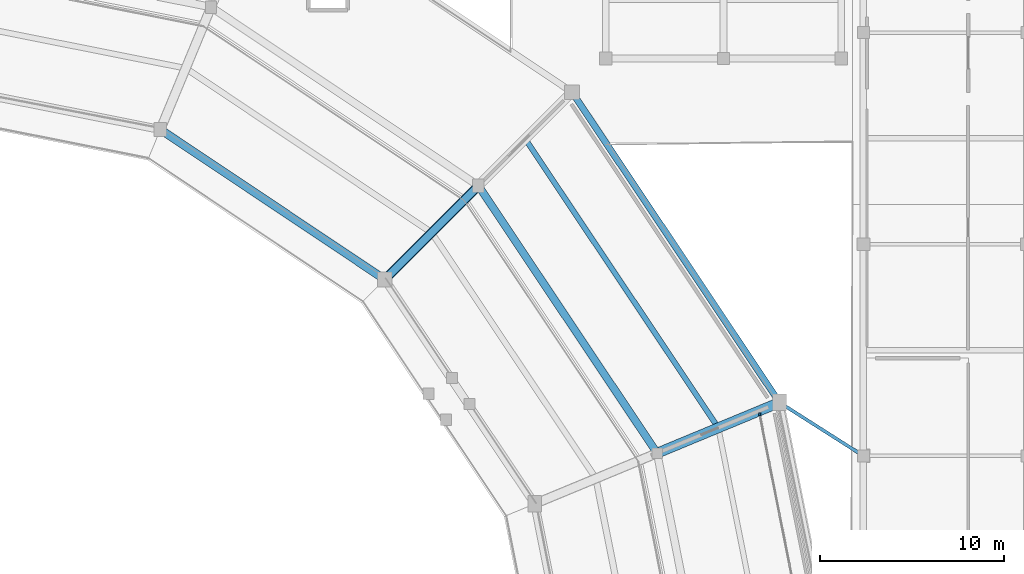
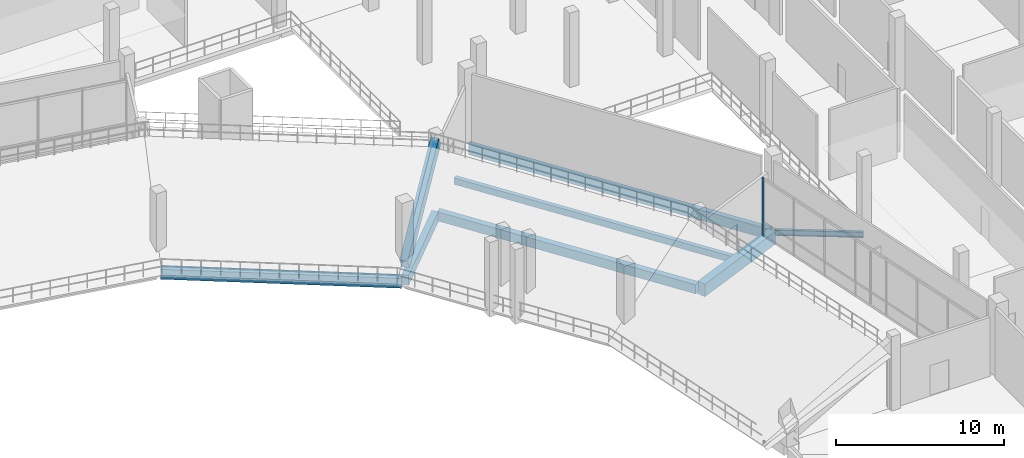
# One storey, part 43 of 127: 8 beams, 1 member, 1 element without a shape of its own.
"""IFC4 building model written with IfcOpenShell, lengths in metres."""

from ifc_helpers import new_model, si_unit, direction, frame, origin, origin_2d, place, context, subcontext, project, spatial, rectangle, i_section, extrude, material, material_profile, profile_set, type_object, element, aggregate, save


model = new_model("IFC4")

# Units and contexts
model_context = context("Model", 3, precision=1e-05, world=origin(), true_north=direction((0.0, 1.0)))
body_context = subcontext(model_context, "Body", "Model", "MODEL_VIEW")
ifc_project = project(units=[si_unit("LENGTHUNIT", "METRE"), si_unit("AREAUNIT", "SQUARE_METRE"), si_unit("VOLUMEUNIT", "CUBIC_METRE"), si_unit("PLANEANGLEUNIT", "RADIAN"), si_unit("MASSUNIT", "GRAM", prefix="KILO")], contexts=[model_context])

# Site, building, storey
site_placement = place(None, origin())
site = spatial("IfcSite", under=ifc_project, at=site_placement, CompositionType="ELEMENT")
building_placement = place(site_placement, origin())
building = spatial("IfcBuilding", under=site, at=building_placement, Name="Candeia Ridge Stadium", CompositionType="ELEMENT")
storey_placement = place(building_placement, frame((0.0, 0.0, 10.800048828125)))
storey = spatial("IfcBuildingStorey", under=building, at=storey_placement, Name="L02", CompositionType="ELEMENT", Elevation=10.800048828125)

# Beam
ifc_material_1 = material(Name="Concrete C45/55", Category="concrete")
ifc_material_profile_1 = material_profile(ifc_material_1, rectangle(XDim=0.5, YDim=0.89990234375, at=origin_2d()), Name="RC500x900", Category="concrete")
ifc_profile_set_1 = profile_set([ifc_material_profile_1], Name="Concrete C45/55")
beam_type_1 = type_object("IfcBeamType", Name="Club Stand Raker Beam RC500x900", PredefinedType="USERDEFINED", material=ifc_profile_set_1)
beam_1_placement = place(storey_placement, frame((167.587158203125, 121.587158203125, 0.624267578125), z_axis=(0.614653767795, 0.614653767795, 0.494369792233), x_axis=(-0.707106781187, 0.707106781187, 0.0)))
element("IfcBeam", 1, at=beam_1_placement, inside=storey, type_object=beam_type_1, Name="Stand T2 inclined concrete raker beam 35", ObjectType="RAKER", PredefinedType="USERDEFINED", context=body_context, shape_type="SweptSolid", body=[
    extrude(rectangle(XDim=0.5, YDim=0.89990234375, at=origin_2d()), origin(), (0.0, 0.0, 1.0), 8.283203125),
])

# Curtain wall, member
ifc_material_2 = material(Name="Aluminium Anodized Warm Bronze", Category="aluminium")
curtain_wall_type = type_object("IfcCurtainWallType", Name="Concourse Recessed Unitised Curtain Wall", PredefinedType="NOTDEFINED", material=ifc_material_2)
curtain_wall_placement = place(storey_placement, origin())
curtain_wall = element("IfcCurtainWall", 2, at=curtain_wall_placement, inside=storey, type_object=curtain_wall_type, Name="Unitised curtain wall CW-BWL-L02-32", PredefinedType="NOTDEFINED")
ifc_material_profile_2 = material_profile(ifc_material_2, rectangle(XDim=0.090087890625, YDim=0.179931640625, at=origin_2d()), Name="CWM-90x180", Category="aluminium")
ifc_profile_set_2 = profile_set([ifc_material_profile_2], Name="Aluminium Anodized Warm Bronze")
member_type = type_object("IfcMemberType", Name="Curtain Wall Primary Mullion 90x180", PredefinedType="MULLION", material=ifc_profile_set_2)
member_placement = place(storey_placement, frame((187.96826171875, 114.263916015625, 0.0), z_axis=(0.0, 0.0, 1.0), x_axis=(1.0, 0.0, 0.0)))
member = element("IfcMember", 3, at=member_placement, type_object=member_type, Name="Curtain wall mullion CW-BWL-L02-32-M7", PredefinedType="MULLION", context=body_context, shape_type="SweptSolid", body=[
    extrude(rectangle(XDim=0.090087890625, YDim=0.179931640625, at=origin_2d()), origin(), (0.0, 0.0, 1.0), 4.21484375),
])
aggregate(curtain_wall, [member])

# Beams
ifc_material_3 = material(Name="Concrete C40/50", Category="concrete")
ifc_material_profile_3 = material_profile(ifc_material_3, rectangle(XDim=0.2900390625, YDim=0.469970703125, at=origin_2d()), Name="RC290x470", Category="concrete")
ifc_profile_set_3 = profile_set([ifc_material_profile_3], Name="Concrete C40/50")
beam_type_2 = type_object("IfcBeamType", Name="Floor Joist RC290x470", PredefinedType="JOIST", material=ifc_profile_set_3)
beam_2_placement = place(storey_placement, frame((185.592529296875, 113.70654296875, -0.4951171875), z_axis=(-0.555573683674, 0.831467306639, 0.0), x_axis=(-0.831467306639, -0.555573683674, 0.0)))
element("IfcBeam", 4, at=beam_2_placement, inside=storey, type_object=beam_type_2, Name="Concourse secondary joist BM-L02-0471", PredefinedType="JOIST", context=body_context, shape_type="SweptSolid", body=[
    extrude(rectangle(XDim=0.2900390625, YDim=0.469970703125, at=origin_2d()), origin(), (0.0, 0.0, 1.0), 18.440673828125),
])
ifc_material_profile_4 = material_profile(ifc_material_3, rectangle(XDim=0.409912109375, YDim=0.659912109375, at=origin_2d()), Name="RC410x660", Category="concrete")
ifc_profile_set_4 = profile_set([ifc_material_profile_4], Name="Concrete C40/50")
beam_type_3 = type_object("IfcBeamType", Name="Frame Girder RC410x660", PredefinedType="BEAM", material=ifc_profile_set_4)
beam_3_placement = place(storey_placement, frame((182.301025390625, 112.27734375, -0.590087890625), z_axis=(-0.555573223542, 0.831467614091, 0.0), x_axis=(-0.831467614091, -0.555573223542, 0.0)))
element("IfcBeam", 5, at=beam_3_placement, inside=storey, type_object=beam_type_3, Name="Concourse spine girder BM-L02-0468", PredefinedType="BEAM", context=body_context, shape_type="SweptSolid", body=[
    extrude(rectangle(XDim=0.409912109375, YDim=0.659912109375, at=origin_2d()), origin(), (0.0, 0.0, 1.0), 17.16015625),
])
ifc_material_profile_5 = material_profile(ifc_material_3, rectangle(XDim=0.429931640625, YDim=0.739990234375, at=origin_2d()), Name="RC430x740", Category="concrete")
ifc_profile_set_5 = profile_set([ifc_material_profile_5], Name="Concrete C40/50")
beam_type_4 = type_object("IfcBeamType", Name="Frame Girder RC430x740", PredefinedType="BEAM", material=ifc_profile_set_5)
beam_4_placement = place(storey_placement, frame((167.700439453125, 121.700439453125, -0.630126953125), z_axis=(0.707106781187, 0.707106781187, 0.0), x_axis=(-0.707106781187, 0.707106781187, 0.0)))
element("IfcBeam", 6, at=beam_4_placement, inside=storey, type_object=beam_type_4, Name="Bowl radial girder BM-L02-0309", PredefinedType="BEAM", context=body_context, shape_type="SweptSolid", body=[
    extrude(rectangle(XDim=0.429931640625, YDim=0.739990234375, at=origin_2d()), origin(), (0.0, 0.0, 1.0), 6.8798828125),
])
ifc_material_profile_6 = material_profile(ifc_material_3, rectangle(XDim=0.43994140625, YDim=0.719970703125, at=origin_2d()), Name="RC440x720", Category="concrete")
ifc_profile_set_6 = profile_set([ifc_material_profile_6], Name="Concrete C40/50")
beam_type_5 = type_object("IfcBeamType", Name="Frame Girder RC440x720", PredefinedType="BEAM", material=ifc_profile_set_6)
beam_5_placement = place(storey_placement, frame((167.4541015625, 121.676025390625, -0.6201171875), z_axis=(-0.831466176057, 0.55557537569, 0.0), x_axis=(-0.55557537569, -0.831466176057, 0.0)))
element("IfcBeam", 7, at=beam_5_placement, inside=storey, type_object=beam_type_5, Name="Bowl inner ring girder BM-L02-0472", PredefinedType="BEAM", context=body_context, shape_type="SweptSolid", body=[
    extrude(rectangle(XDim=0.43994140625, YDim=0.719970703125, at=origin_2d()), origin(), (0.0, 0.0, 1.0), 14.350830078125),
])
ifc_material_profile_7 = material_profile(ifc_material_1, rectangle(XDim=0.550048828125, YDim=0.919921875, at=origin_2d()), Name="RC550x920", Category="concrete")
ifc_profile_set_7 = profile_set([ifc_material_profile_7], Name="Concrete C45/55")
beam_type_6 = type_object("IfcBeamType", Name="Frame Girder RC550x920", PredefinedType="BEAM", material=ifc_profile_set_7)
beam_6_placement = place(storey_placement, frame((182.53759765625, 112.20556640625, -0.719970703125), z_axis=(0.923880161031, 0.382681914982, 0.0), x_axis=(-0.382681914982, 0.923880161031, 0.0)))
element("IfcBeam", 8, at=beam_6_placement, inside=storey, type_object=beam_type_6, Name="Bowl radial girder BM-L02-0308", PredefinedType="BEAM", context=body_context, shape_type="SweptSolid", body=[
    extrude(rectangle(XDim=0.550048828125, YDim=0.919921875, at=origin_2d()), origin(), (0.0, 0.0, 1.0), 6.8798828125),
])
ifc_material_profile_8 = material_profile(ifc_material_1, rectangle(XDim=0.35009765625, YDim=0.75, at=origin_2d()), Name="RC350x750", Category="concrete")
ifc_profile_set_8 = profile_set([ifc_material_profile_8], Name="Concrete C45/55")
beam_type_7 = type_object("IfcBeamType", Name="Spandrel Beam RC350x750", PredefinedType="SPANDREL", material=ifc_profile_set_8)
beam_7_placement = place(storey_placement, frame((188.952880859375, 115.032470703125, -0.635009765625), z_axis=(-0.555571676938, 0.831468647505, 0.0), x_axis=(-0.831468647505, -0.555571676938, 0.0)))
element("IfcBeam", 9, at=beam_7_placement, inside=storey, type_object=beam_type_7, Name="Bowl perimeter spandrel BM-L02-0469", PredefinedType="SPANDREL", context=body_context, shape_type="SweptSolid", body=[
    extrude(rectangle(XDim=0.35009765625, YDim=0.75, at=origin_2d()), origin(), (0.0, 0.0, 1.0), 19.969482421875),
])
ifc_material_4 = material(Name="Steel ASTM A572 Grade 50", Category="steel")
ifc_material_profile_9 = material_profile(ifc_material_4, i_section(OverallWidth=0.178955078125, OverallDepth=0.409912109375, WebThickness=0.0087890625, FlangeThickness=0.014404296875, FilletRadius=0.011962890625, at=origin_2d()), Name="W410x67", Category="steel")
ifc_profile_set_9 = profile_set([ifc_material_profile_9], Name="Steel ASTM A572 Grade 50")
beam_type_8 = type_object("IfcBeamType", Name="Warm-Up Hall Girder W410x67", PredefinedType="BEAM", material=ifc_profile_set_9)
beam_8_placement = place(storey_placement, frame((193.557861328125, 112.02685546875, -0.4951171875), z_axis=(-0.843752479812, 0.536732477881, 0.0), x_axis=(-0.536732477881, -0.843752479812, 0.0)))
element("IfcBeam", 10, at=beam_8_placement, inside=storey, type_object=beam_type_8, Name="Wing-to-bowl tie girder BM-L02-2552", PredefinedType="BEAM", context=body_context, shape_type="SweptSolid", body=[
    extrude(i_section(OverallWidth=0.178955078125, OverallDepth=0.409912109375, WebThickness=0.0087890625, FlangeThickness=0.014404296875, FilletRadius=0.011962890625, at=origin_2d()), origin(), (0.0, 0.0, 1.0), 5.30224609375),
])

save(model, "model.ifc")
